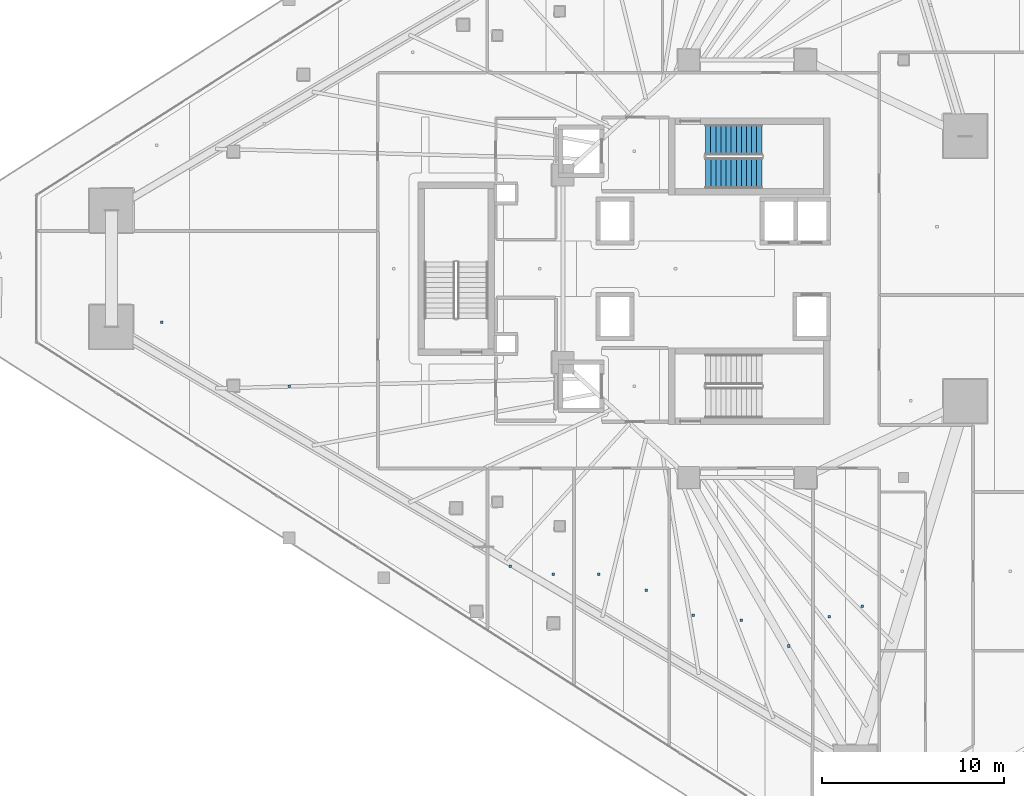
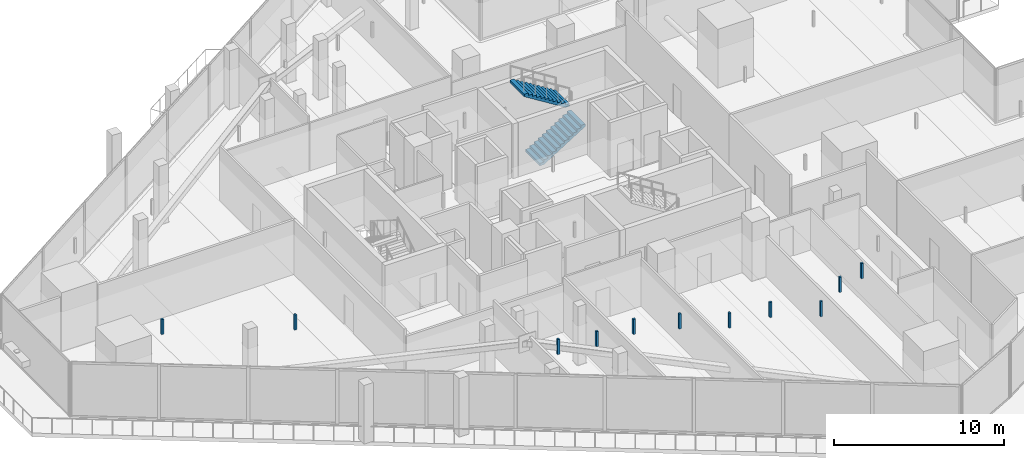
# One storey, part 34 of 47: 11 discrete accessories, 2 stair flights, 1 element without a shape of its own.
"""IFC4 building model written with IfcOpenShell, lengths in metres."""

from ifc_helpers import new_model, si_unit, direction, frame, origin, origin_2d, place, context, subcontext, project, spatial, polyline, rectangle, outline, extrude, material, layer, layer_set, type_object, element, aggregate, save


model = new_model("IFC4")

# Units and contexts
model_context = context("Model", 3, precision=1e-05, world=origin(), true_north=direction((0.0, 1.0)))
body_context = subcontext(model_context, "Body", "Model", "MODEL_VIEW")
ifc_project = project(units=[si_unit("LENGTHUNIT", "METRE"), si_unit("AREAUNIT", "SQUARE_METRE"), si_unit("VOLUMEUNIT", "CUBIC_METRE"), si_unit("PLANEANGLEUNIT", "RADIAN"), si_unit("MASSUNIT", "GRAM", prefix="KILO")], contexts=[model_context])

# Site, building, storey
site_placement = place(None, origin())
site = spatial("IfcSite", under=ifc_project, at=site_placement, CompositionType="ELEMENT")
building_placement = place(site_placement, origin())
building = spatial("IfcBuilding", under=site, at=building_placement, Name="Qorvath Tower", CompositionType="ELEMENT")
storey_placement = place(building_placement, frame((0.0, 0.0, 74.39990234375)))
storey = spatial("IfcBuildingStorey", under=building, at=storey_placement, Name="L16", CompositionType="ELEMENT", Elevation=74.39990234375)

# Stair, stair flights
ifc_material_1 = material(Name="Concrete C50/60", Category="concrete")
stair_type = type_object("IfcStairType", Name="ST-H420", PredefinedType="HALF_TURN_STAIR", material=ifc_material_1)
stair_placement = place(storey_placement, origin())
stair = element("IfcStair", 1, at=stair_placement, inside=storey, type_object=stair_type, Name="L16 Tower Exit Stair 1", PredefinedType="HALF_TURN_STAIR")
ifc_material_2 = material(Name="Concrete C50/60", Category="concrete")
ifc_layer = layer(ifc_material_2, 0.14990234375)
ifc_layer_set = layer_set([ifc_layer], Name="SF-H420")
stair_flight_type = type_object("IfcStairFlightType", Name="SF-H420", PredefinedType="STRAIGHT", material=ifc_layer_set)
stair_flight_1_placement = place(storey_placement, frame((-22.669921875, 5.239990234375, 0.0), z_axis=(0.0, 0.0, 1.0), x_axis=(1.0, 0.0, 0.0)))
stair_flight_1 = element("IfcStairFlight", 2, at=stair_flight_1_placement, type_object=stair_flight_type, Name="TS1 flight 1", NumberOfRisers=12, NumberOfTreads=11, PredefinedType="STRAIGHT", RiserHeight=0.175, TreadLength=0.28, context=body_context, shape_type="SweptSolid", body=[
    extrude(outline(polyline([(0.0, 0.0), (0.0, 0.175048828125), (0.280029296875, 0.175048828125), (0.280029296875, 0.35009765625), (0.56005859375, 0.35009765625), (0.56005859375, 0.52490234375), (0.840087890625, 0.52490234375), (0.840087890625, 0.699951171875), (1.1201171875, 0.699951171875), (1.1201171875, 0.875), (1.39990234375, 0.875), (1.39990234375, 1.050048828125), (1.679931640625, 1.050048828125), (1.679931640625, 1.22509765625), (1.9599609375, 1.22509765625), (1.9599609375, 1.39990234375), (2.239990234375, 1.39990234375), (2.239990234375, 1.574951171875), (2.52001953125, 1.574951171875), (2.52001953125, 1.75), (2.800048828125, 1.75), (2.800048828125, 1.925048828125), (3.080078125, 1.925048828125), (3.080078125, 2.10009765625), (3.080078125, 1.748291015625), (0.28271484375, 0.0), (0.0, 0.0)])), frame((0.0, 0.83984375, 0.0), z_axis=(0.0, -1.0, 0.0), x_axis=(1.0, 0.0, 0.0)), (0.0, 0.0, 1.0), 1.679931640625),
])
stair_flight_2_placement = place(storey_placement, frame((-19.590087890625, 7.070068359375, 2.10009765625), z_axis=(0.0, 0.0, 1.0), x_axis=(-1.0, 0.0, 0.0)))
stair_flight_2 = element("IfcStairFlight", 3, at=stair_flight_2_placement, type_object=stair_flight_type, Name="TS1 flight 2", NumberOfRisers=12, NumberOfTreads=11, PredefinedType="STRAIGHT", RiserHeight=0.175, TreadLength=0.28, context=body_context, shape_type="SweptSolid", body=[
    extrude(outline(polyline([(0.0, 0.0), (0.0, 0.175048828125), (0.280029296875, 0.175048828125), (0.280029296875, 0.35009765625), (0.56005859375, 0.35009765625), (0.56005859375, 0.52490234375), (0.840087890625, 0.52490234375), (0.840087890625, 0.699951171875), (1.1201171875, 0.699951171875), (1.1201171875, 0.875), (1.39990234375, 0.875), (1.39990234375, 1.050048828125), (1.679931640625, 1.050048828125), (1.679931640625, 1.22509765625), (1.9599609375, 1.22509765625), (1.9599609375, 1.39990234375), (2.239990234375, 1.39990234375), (2.239990234375, 1.574951171875), (2.52001953125, 1.574951171875), (2.52001953125, 1.75), (2.800048828125, 1.75), (2.800048828125, 1.925048828125), (3.080078125, 1.925048828125), (3.080078125, 2.10009765625), (3.080078125, 1.748291015625), (0.28271484375, 0.0), (0.0, 0.0)])), frame((0.0, 0.83984375, 0.0), z_axis=(0.0, -1.0, 0.0), x_axis=(1.0, 0.0, 0.0)), (0.0, 0.0, 1.0), 1.679931640625),
])
aggregate(stair, [stair_flight_1, stair_flight_2])

# Discrete accessories
ifc_material_3 = material(Name="Galvanised steel bracket", Category="steel")
discrete_accessory_type = type_object("IfcDiscreteAccessoryType", Name="DA-BRACKET", PredefinedType="BRACKET", material=ifc_material_3)
for number, where, z_axis, x_axis, name in (
    (4, (-33.404296875, -16.337158203125, 2.85986328125), (0.0, 0.0, 1.0), (1.0, 0.0, 0.0), "Acoustic Ceiling Suspension Hanger T1-L16-014"),
    (5, (-31.03271484375, -16.776123046875, 2.85986328125), (0.0, 0.0, 1.0), (1.0, 0.0, 0.0), "Acoustic Ceiling Suspension Hanger T1-L16-015"),
    (6, (-28.526123046875, -16.776611328125, 2.85986328125), (0.0, 0.0, 1.0), (1.0, 0.0, 0.0), "Acoustic Ceiling Suspension Hanger T1-L16-016"),
    (7, (-25.920166015625, -17.64404296875, 2.85986328125), (0.0, 0.0, 1.0), (1.0, 0.0, 0.0), "Acoustic Ceiling Suspension Hanger T1-L16-017"),
    (8, (-23.342529296875, -19.021240234375, 2.85986328125), (0.0, 0.0, 1.0), (1.0, 0.0, 0.0), "Acoustic Ceiling Suspension Hanger T1-L16-018"),
    (9, (-20.7197265625, -19.287109375, 2.85986328125), (0.0, 0.0, 1.0), (1.0, 0.0, 0.0), "Acoustic Ceiling Suspension Hanger T1-L16-019"),
    (10, (-18.1015625, -20.7041015625, 2.85986328125), (0.0, 0.0, 1.0), (1.0, 0.0, 0.0), "Acoustic Ceiling Suspension Hanger T1-L16-020"),
    (11, (-15.8916015625, -19.09912109375, 2.85986328125), (0.0, 0.0, 1.0), (1.0, 0.0, 0.0), "Acoustic Ceiling Suspension Hanger T1-L16-021"),
    (12, (-14.081787109375, -18.525634765625, 2.85986328125), (0.0, 0.0, 1.0), (1.0, 0.0, 0.0), "Acoustic Ceiling Suspension Hanger T1-L16-022"),
    (13, (-52.510986328125, -2.942626953125, 2.85986328125), (0.0, 0.0, 1.0), (1.0, 0.0, 0.0), "Acoustic Ceiling Suspension Hanger T1-L16-035"),
    (14, (-45.5166015625, -6.44580078125, 2.85986328125), (0.0, 0.0, 1.0), (1.0, 0.0, 0.0), "Acoustic Ceiling Suspension Hanger T1-L16-036"),
):
    element("IfcDiscreteAccessory", number, at=place(storey_placement, frame(where, z_axis=z_axis, x_axis=x_axis)), inside=storey, type_object=discrete_accessory_type, Name=name, PredefinedType="NOTDEFINED", context=body_context, shape_type="SweptSolid", body=[
        extrude(rectangle(XDim=0.139892578125, YDim=0.139892578125, at=origin_2d()), origin(), (0.0, 0.0, 1.0), 1.090087890625),
    ])

save(model, "model.ifc")
